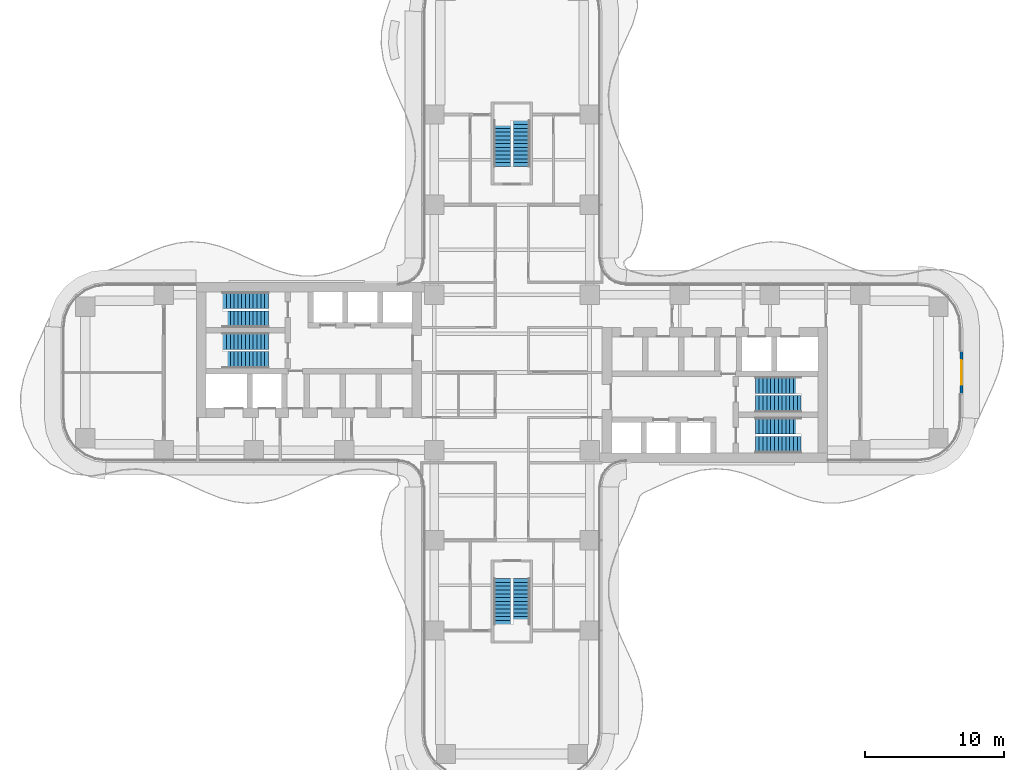
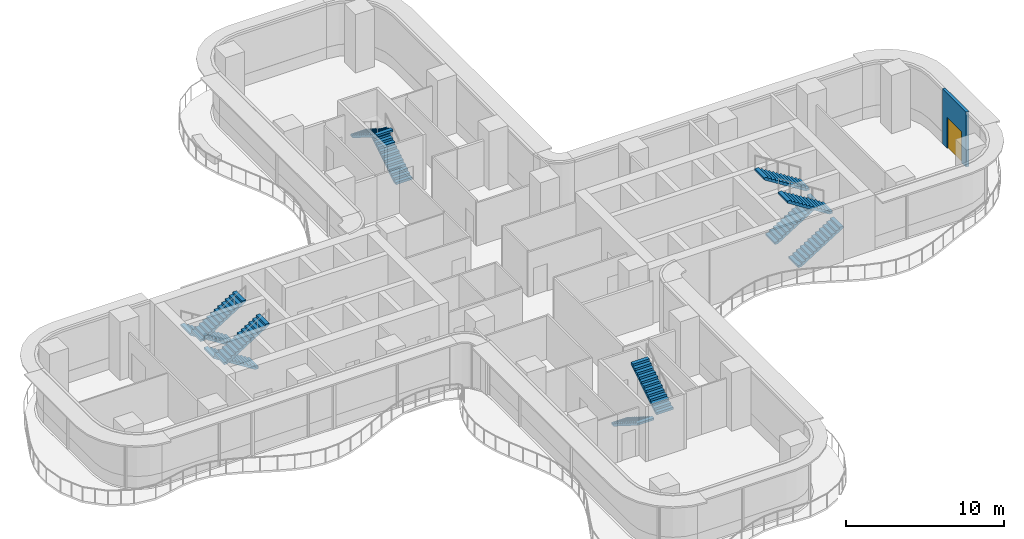
# One storey, part 20 of 22: 12 stair flights, 1 door, 1 wall, 1 opening, 6 elements without a shape of their own.
"""IFC4 building model written with IfcOpenShell, lengths in metres."""

from ifc_helpers import new_model, si_unit, direction, frame, frame_2d, origin, place, context, subcontext, project, spatial, polyline, rectangle, outline, extrude, source, transform, mapped, material, layer, layer_set, type_object, element, fill, aggregate, save


model = new_model("IFC4")

# Units and contexts
model_context = context("Model", 3, precision=1e-05, world=origin(), true_north=direction((0.0, 1.0)))
body_context = subcontext(model_context, "Body", "Model", "MODEL_VIEW")
ifc_project = project(units=[si_unit("LENGTHUNIT", "METRE"), si_unit("AREAUNIT", "SQUARE_METRE"), si_unit("VOLUMEUNIT", "CUBIC_METRE"), si_unit("PLANEANGLEUNIT", "RADIAN"), si_unit("MASSUNIT", "GRAM", prefix="KILO")], contexts=[model_context])

# Site, building, storey
site_placement = place(None, origin())
site = spatial("IfcSite", under=ifc_project, at=site_placement, CompositionType="ELEMENT")
building_placement = place(site_placement, origin())
building = spatial("IfcBuilding", under=site, at=building_placement, Name="Trellis Farm Tower", CompositionType="ELEMENT")
storey_placement = place(building_placement, frame((0.0, 0.0, 38.5)))
storey = spatial("IfcBuildingStorey", under=building, at=storey_placement, Name="L07", CompositionType="ELEMENT", Elevation=38.5)

# Wall, opening, door
ifc_material_1 = material(Name="Sandstone faced insulated wall", Category="masonry")
ifc_layer = layer(ifc_material_1, 0.199951171875)
ifc_layer_set = layer_set([ifc_layer], Name="EXTERNAL INFILL WALL 200")
wall_type = type_object("IfcWallType", Name="EXTERNAL INFILL WALL 200", PredefinedType="SOLIDWALL", material=ifc_layer_set)
shared_shape_1 = source(origin(), body_context, "Body", "SweptSolid", [
    extrude(rectangle(XDim=3.0, YDim=0.199951171875, at=frame_2d((1.5, 0.0))), origin(), (0.0, 0.0, 1.0), 4.25),
])
wall_placement = place(storey_placement, frame((32.39990234375, -1.5, 0.0), z_axis=(0.0, 0.0, 1.0), x_axis=(0.0, 1.0, 0.0)))
wall = element("IfcWall", 1, at=wall_placement, inside=storey, type_object=wall_type, Name="EW1 01", PredefinedType="SOLIDWALL", context=body_context, shape_type="MappedRepresentation", body=[
    mapped(shared_shape_1, transform((0.0, 0.0, 0.0))),
])
shared_shape_2 = source(origin(), body_context, "Body", "SweptSolid", [
    extrude(rectangle(XDim=1.800048828125, YDim=2.39990234375, at=frame_2d((0.89990234375, 1.199951171875))), frame((0.0, 0.110107421875, 0.0), z_axis=(0.0, -1.0, 0.0), x_axis=(1.0, 0.0, 0.0)), (0.0, 0.0, 1.0), 0.22021484375),
])
opening_placement = place(wall_placement, frame((0.60009765625, 0.0, 0.0)))
opening = element("IfcOpeningElement", 2, at=opening_placement, cuts=wall, Name="Opening ED1", PredefinedType="OPENING", context=body_context, shape_type="MappedRepresentation", body=[
    mapped(shared_shape_2, transform((0.0, 0.0, 0.0))),
])
ifc_material_2 = material(Name="Aluminium framed glazed door", Category="aluminium")
door_type = type_object("IfcDoorType", Name="BALCONY DOOR 1800x2400", OperationType="DOUBLE_DOOR_SINGLE_SWING", PredefinedType="DOOR", material=ifc_material_2)
shared_shape_3 = source(origin(), body_context, "Body", "SweptSolid", [
    extrude(rectangle(XDim=1.800048828125, YDim=2.39990234375, at=frame_2d((0.89990234375, 1.199951171875))), frame((0.0, 0.02490234375, 0.0), z_axis=(0.0, -1.0, 0.0), x_axis=(1.0, 0.0, 0.0)), (0.0, 0.0, 1.0), 0.050048828125),
])
door_placement = place(opening_placement, origin())
door = element("IfcDoor", 3, at=door_placement, inside=storey, type_object=door_type, Name="Balcony door", OperationType="DOUBLE_DOOR_SINGLE_SWING", OverallHeight=2.39990234375, OverallWidth=1.800048828125, PredefinedType="DOOR", context=body_context, shape_type="MappedRepresentation", body=[
    mapped(shared_shape_3, transform((0.0, 0.0, 0.0))),
])
fill(opening, door)

# Stair, stair flights
ifc_material_3 = material(Name="Concrete C50/60", Category="concrete")
stair_type = type_object("IfcStairType", Name="CORE EXIT STAIR 26 RISERS 173 MM", PredefinedType="HALF_TURN_STAIR", material=ifc_material_3)
placement = place(storey_placement, origin())
stair_1 = element("IfcStair", 4, at=placement, inside=storey, type_object=stair_type, Name="Exit stair N", PredefinedType="HALF_TURN_STAIR")
stair_flight_type = type_object("IfcStairFlightType", Name="STAIR FLIGHT 13 RISERS 173 MM", PredefinedType="STRAIGHT", material=ifc_material_3)
shared_shape_4 = source(origin(), body_context, "Body", "SweptSolid", [
    extrude(outline(polyline([(0.0, 0.0), (0.0, 0.173095703125), (0.27490234375, 0.173095703125), (0.27490234375, 0.34619140625), (0.550048828125, 0.34619140625), (0.550048828125, 0.519287109375), (0.824951171875, 0.519287109375), (0.824951171875, 0.6923828125), (1.10009765625, 0.6923828125), (1.10009765625, 0.865478515625), (1.375, 0.865478515625), (1.375, 1.03857421875), (1.64990234375, 1.03857421875), (1.64990234375, 1.21142578125), (1.925048828125, 1.21142578125), (1.925048828125, 1.384521484375), (2.199951171875, 1.384521484375), (2.199951171875, 1.5576171875), (2.47509765625, 1.5576171875), (2.47509765625, 1.730712890625), (2.75, 1.730712890625), (2.75, 1.90380859375), (3.02490234375, 1.90380859375), (3.02490234375, 2.076904296875), (3.300048828125, 2.076904296875), (3.300048828125, 2.25), (3.300048828125, 1.92333984375), (0.243896484375, 0.0), (0.0, 0.0)])), frame((0.0, 0.60009765625, 0.0), z_axis=(0.0, -1.0, 0.0), x_axis=(1.0, 0.0, 0.0)), (0.0, 0.0, 1.0), 1.199951171875),
])
stair_flight_1_placement = place(storey_placement, frame((0.699951171875, 14.85009765625, 0.0), z_axis=(0.0, 0.0, 1.0), x_axis=(0.0, 1.0, 0.0)))
stair_flight_1 = element("IfcStairFlight", 5, at=stair_flight_1_placement, type_object=stair_flight_type, Name="STN flight 1", NumberOfRisers=13, NumberOfTreads=12, PredefinedType="STRAIGHT", RiserHeight=0.173076923, TreadLength=0.275, context=body_context, shape_type="MappedRepresentation", body=[
    mapped(shared_shape_4, transform((0.0, 0.0, 0.0))),
])
stair_flight_2_placement = place(storey_placement, frame((-0.699951171875, 18.14990234375, 2.25), z_axis=(0.0, 0.0, 1.0), x_axis=(0.0, -1.0, 0.0)))
stair_flight_2 = element("IfcStairFlight", 6, at=stair_flight_2_placement, type_object=stair_flight_type, Name="STN flight 2", NumberOfRisers=13, NumberOfTreads=12, PredefinedType="STRAIGHT", RiserHeight=0.173076923, TreadLength=0.275, context=body_context, shape_type="MappedRepresentation", body=[
    mapped(shared_shape_4, transform((0.0, 0.0, 0.0))),
])
aggregate(stair_1, [stair_flight_1, stair_flight_2])

stair_2 = element("IfcStair", 7, at=placement, inside=storey, type_object=stair_type, Name="Exit stair S", PredefinedType="HALF_TURN_STAIR")
stair_flight_3_placement = place(storey_placement, frame((-0.699951171875, -14.85009765625, 0.0), z_axis=(0.0, 0.0, 1.0), x_axis=(0.0, -1.0, 0.0)))
stair_flight_3 = element("IfcStairFlight", 8, at=stair_flight_3_placement, type_object=stair_flight_type, Name="STS flight 1", NumberOfRisers=13, NumberOfTreads=12, PredefinedType="STRAIGHT", RiserHeight=0.173076923, TreadLength=0.275, context=body_context, shape_type="MappedRepresentation", body=[
    mapped(shared_shape_4, transform((0.0, 0.0, 0.0))),
])
stair_flight_4_placement = place(storey_placement, frame((0.699951171875, -18.14990234375, 2.25), z_axis=(0.0, 0.0, 1.0), x_axis=(0.0, 1.0, 0.0)))
stair_flight_4 = element("IfcStairFlight", 9, at=stair_flight_4_placement, type_object=stair_flight_type, Name="STS flight 2", NumberOfRisers=13, NumberOfTreads=12, PredefinedType="STRAIGHT", RiserHeight=0.173076923, TreadLength=0.275, context=body_context, shape_type="MappedRepresentation", body=[
    mapped(shared_shape_4, transform((0.0, 0.0, 0.0))),
])
aggregate(stair_2, [stair_flight_3, stair_flight_4])

stair_3 = element("IfcStair", 10, at=placement, inside=storey, type_object=stair_type, Name="Exit stair E1", PredefinedType="HALF_TURN_STAIR")
stair_flight_5_placement = place(storey_placement, frame((17.550048828125, -5.199951171875, 0.0), z_axis=(0.0, 0.0, 1.0), x_axis=(1.0, 0.0, 0.0)))
stair_flight_5 = element("IfcStairFlight", 11, at=stair_flight_5_placement, type_object=stair_flight_type, Name="STE1 flight 1", NumberOfRisers=13, NumberOfTreads=12, PredefinedType="STRAIGHT", RiserHeight=0.173076923, TreadLength=0.275, context=body_context, shape_type="MappedRepresentation", body=[
    mapped(shared_shape_4, transform((0.0, 0.0, 0.0))),
])
stair_flight_6_placement = place(storey_placement, frame((20.85009765625, -3.85009765625, 2.25), z_axis=(0.0, 0.0, 1.0), x_axis=(-1.0, 0.0, 0.0)))
stair_flight_6 = element("IfcStairFlight", 12, at=stair_flight_6_placement, type_object=stair_flight_type, Name="STE1 flight 2", NumberOfRisers=13, NumberOfTreads=12, PredefinedType="STRAIGHT", RiserHeight=0.173076923, TreadLength=0.275, context=body_context, shape_type="MappedRepresentation", body=[
    mapped(shared_shape_4, transform((0.0, 0.0, 0.0))),
])
aggregate(stair_3, [stair_flight_5, stair_flight_6])

stair_4 = element("IfcStair", 13, at=placement, inside=storey, type_object=stair_type, Name="Exit stair E2", PredefinedType="HALF_TURN_STAIR")
stair_flight_7_placement = place(storey_placement, frame((17.550048828125, -2.25, 0.0), z_axis=(0.0, 0.0, 1.0), x_axis=(1.0, 0.0, 0.0)))
stair_flight_7 = element("IfcStairFlight", 14, at=stair_flight_7_placement, type_object=stair_flight_type, Name="STE2 flight 1", NumberOfRisers=13, NumberOfTreads=12, PredefinedType="STRAIGHT", RiserHeight=0.173076923, TreadLength=0.275, context=body_context, shape_type="MappedRepresentation", body=[
    mapped(shared_shape_4, transform((0.0, 0.0, 0.0))),
])
stair_flight_8_placement = place(storey_placement, frame((20.85009765625, -0.89990234375, 2.25), z_axis=(0.0, 0.0, 1.0), x_axis=(-1.0, 0.0, 0.0)))
stair_flight_8 = element("IfcStairFlight", 15, at=stair_flight_8_placement, type_object=stair_flight_type, Name="STE2 flight 2", NumberOfRisers=13, NumberOfTreads=12, PredefinedType="STRAIGHT", RiserHeight=0.173076923, TreadLength=0.275, context=body_context, shape_type="MappedRepresentation", body=[
    mapped(shared_shape_4, transform((0.0, 0.0, 0.0))),
])
aggregate(stair_4, [stair_flight_7, stair_flight_8])

stair_5 = element("IfcStair", 16, at=placement, inside=storey, type_object=stair_type, Name="Exit stair W1", PredefinedType="HALF_TURN_STAIR")
stair_flight_9_placement = place(storey_placement, frame((-17.550048828125, 5.199951171875, 0.0), z_axis=(0.0, 0.0, 1.0), x_axis=(-1.0, 0.0, 0.0)))
stair_flight_9 = element("IfcStairFlight", 17, at=stair_flight_9_placement, type_object=stair_flight_type, Name="STW1 flight 1", NumberOfRisers=13, NumberOfTreads=12, PredefinedType="STRAIGHT", RiserHeight=0.173076923, TreadLength=0.275, context=body_context, shape_type="MappedRepresentation", body=[
    mapped(shared_shape_4, transform((0.0, 0.0, 0.0))),
])
stair_flight_10_placement = place(storey_placement, frame((-20.85009765625, 3.85009765625, 2.25), z_axis=(0.0, 0.0, 1.0), x_axis=(1.0, 0.0, 0.0)))
stair_flight_10 = element("IfcStairFlight", 18, at=stair_flight_10_placement, type_object=stair_flight_type, Name="STW1 flight 2", NumberOfRisers=13, NumberOfTreads=12, PredefinedType="STRAIGHT", RiserHeight=0.173076923, TreadLength=0.275, context=body_context, shape_type="MappedRepresentation", body=[
    mapped(shared_shape_4, transform((0.0, 0.0, 0.0))),
])
aggregate(stair_5, [stair_flight_9, stair_flight_10])

stair_6 = element("IfcStair", 19, at=placement, inside=storey, type_object=stair_type, Name="Exit stair W2", PredefinedType="HALF_TURN_STAIR")
stair_flight_11_placement = place(storey_placement, frame((-17.550048828125, 2.25, 0.0), z_axis=(0.0, 0.0, 1.0), x_axis=(-1.0, 0.0, 0.0)))
stair_flight_11 = element("IfcStairFlight", 20, at=stair_flight_11_placement, type_object=stair_flight_type, Name="STW2 flight 1", NumberOfRisers=13, NumberOfTreads=12, PredefinedType="STRAIGHT", RiserHeight=0.173076923, TreadLength=0.275, context=body_context, shape_type="MappedRepresentation", body=[
    mapped(shared_shape_4, transform((0.0, 0.0, 0.0))),
])
stair_flight_12_placement = place(storey_placement, frame((-20.85009765625, 0.89990234375, 2.25), z_axis=(0.0, 0.0, 1.0), x_axis=(1.0, 0.0, 0.0)))
stair_flight_12 = element("IfcStairFlight", 21, at=stair_flight_12_placement, type_object=stair_flight_type, Name="STW2 flight 2", NumberOfRisers=13, NumberOfTreads=12, PredefinedType="STRAIGHT", RiserHeight=0.173076923, TreadLength=0.275, context=body_context, shape_type="MappedRepresentation", body=[
    mapped(shared_shape_4, transform((0.0, 0.0, 0.0))),
])
aggregate(stair_6, [stair_flight_11, stair_flight_12])

save(model, "model.ifc")
